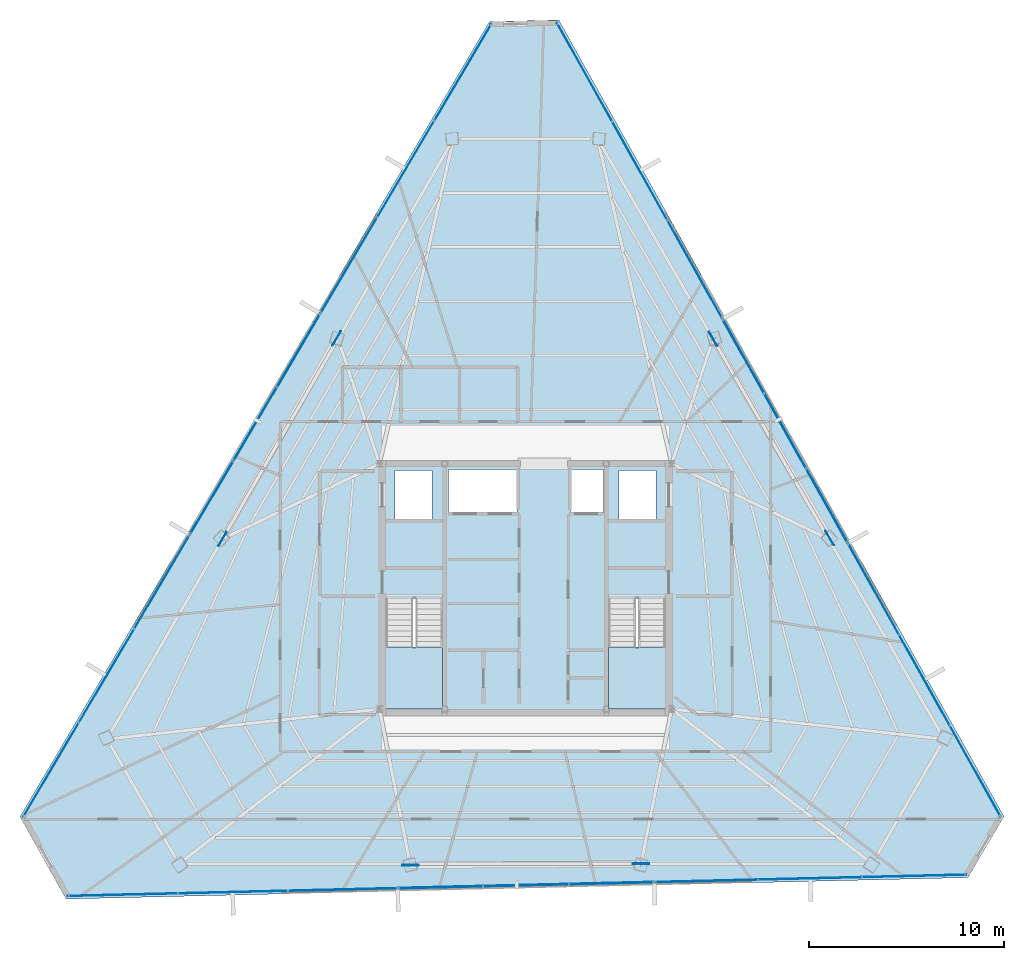
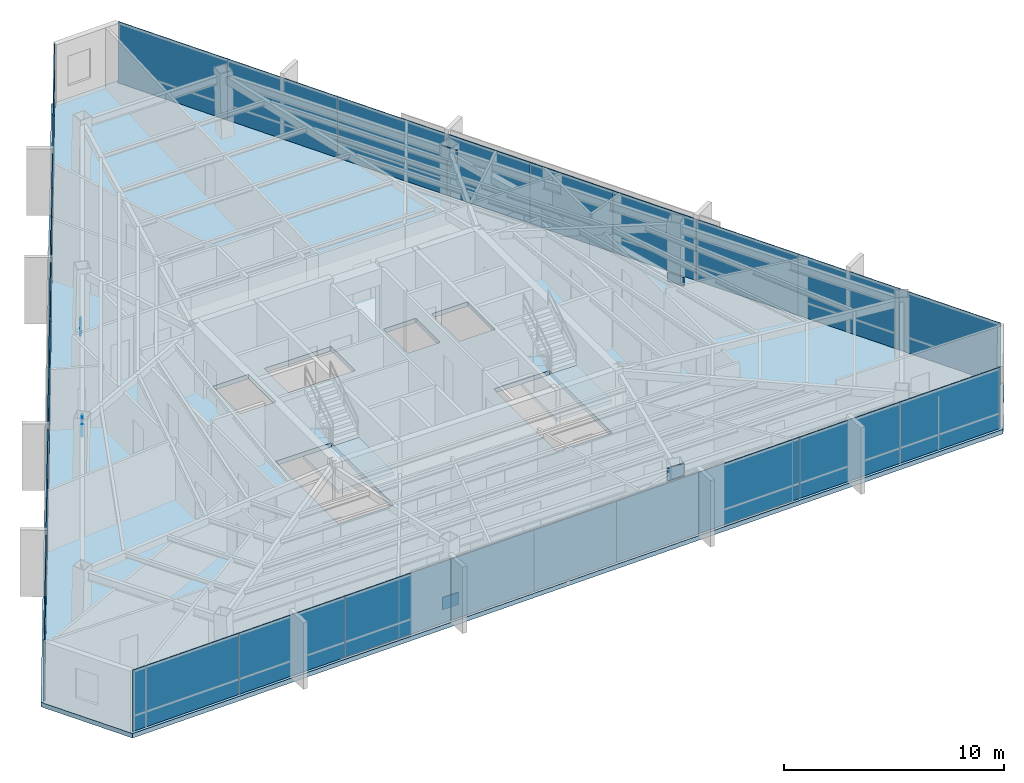
# One storey, part 37 of 44: 33 plates, 3 slabs, 11 elements without a shape of their own.
"""IFC4 building model written with IfcOpenShell, lengths in metres."""

from ifc_helpers import new_model, si_unit, direction, frame, origin, origin_2d, place, context, subcontext, project, spatial, polyline, rectangle, outline, extrude, source, transform, mapped, material, layer, layer_set, type_object, type_shapes, element, aggregate, save


model = new_model("IFC4")

# Units and contexts
model_context = context("Model", 3, precision=1e-05, world=origin(), true_north=direction((0.0, 1.0)))
body_context = subcontext(model_context, "Body", "Model", "MODEL_VIEW")
ifc_project = project(units=[si_unit("LENGTHUNIT", "METRE"), si_unit("AREAUNIT", "SQUARE_METRE"), si_unit("VOLUMEUNIT", "CUBIC_METRE"), si_unit("PLANEANGLEUNIT", "RADIAN"), si_unit("MASSUNIT", "GRAM", prefix="KILO")], contexts=[model_context])

# Site, building, storey
site_placement = place(None, origin())
site = spatial("IfcSite", under=ifc_project, at=site_placement, CompositionType="ELEMENT")
building_placement = place(site_placement, origin())
building = spatial("IfcBuilding", under=site, at=building_placement, Name="Caelisora Broadcast Tower", CompositionType="ELEMENT")
storey_placement = place(building_placement, frame((0.0, 0.0, 259.050048828125)))
storey = spatial("IfcBuildingStorey", under=building, at=storey_placement, Name="L68", CompositionType="ELEMENT", Elevation=259.050048828125)

# Slab
ifc_material_1 = material(Name="Concrete 40 MPa (AS 3600 N40)", Category="concrete")
ifc_layer_1 = layer(ifc_material_1, 0.25, Name="Concrete 40 MPa (AS 3600 N40)")
ifc_layer_set_1 = layer_set([ifc_layer_1], Name="Concrete 40 MPa (AS 3600 N40)")
slab_type_1 = type_object("IfcSlabType", Name="SL04", PredefinedType="FLOOR", material=ifc_layer_set_1)
slab_1_placement = place(storey_placement, frame((0.0, 0.0, -0.25)))
element("IfcSlab", 1, at=slab_1_placement, inside=storey, type_object=slab_type_1, Name="L68 suspended floor SL04", PredefinedType="FLOOR", context=body_context, shape_type="SweptSolid", body=[
    extrude(outline(polyline([(39.7080078125, 52.781982421875), (36.14599609375, 52.697998046875), (12.0419921875, 11.87890625), (14.406982421875, 7.64794921875), (60.7109375, 8.7470703125), (62.56494140625, 11.886962890625), (39.7080078125, 52.781982421875)]), holes=[polyline([(30.820068359375, 17.39990234375), (33.739990234375, 17.39990234375), (33.739990234375, 23.080078125), (30.820068359375, 23.080078125), (30.820068359375, 17.39990234375)]), polyline([(42.260009765625, 17.39990234375), (45.179931640625, 17.39990234375), (45.179931640625, 23.080078125), (42.260009765625, 23.080078125), (42.260009765625, 17.39990234375)]), polyline([(42.800048828125, 27.14990234375), (44.699951171875, 27.14990234375), (44.699951171875, 29.64990234375), (42.800048828125, 29.64990234375), (42.800048828125, 27.14990234375)]), polyline([(40.300048828125, 27.5), (42.0, 27.5), (42.0, 29.699951171875), (40.300048828125, 29.699951171875), (40.300048828125, 27.5)]), polyline([(34.050048828125, 27.5), (37.550048828125, 27.5), (37.550048828125, 29.699951171875), (34.050048828125, 29.699951171875), (34.050048828125, 27.5)]), polyline([(31.300048828125, 27.14990234375), (33.199951171875, 27.14990234375), (33.199951171875, 29.64990234375), (31.300048828125, 29.64990234375), (31.300048828125, 27.14990234375)])]), origin(), (0.0, 0.0, 1.0), 0.25),
])

# Stair, slab
stair_type_1 = type_object("IfcStairType", Name="ST-1", PredefinedType="HALF_TURN_STAIR", material=ifc_material_1)
stair_1_placement = place(storey_placement, origin())
stair_1 = element("IfcStair", 2, at=stair_1_placement, inside=storey, type_object=stair_type_1, Name="L68 West Fire-Isolated Tower Stair", PredefinedType="HALF_TURN_STAIR")
ifc_layer_2 = layer(ifc_material_1, 0.199951171875, Name="Concrete 40 MPa (AS 3600 N40)")
ifc_layer_set_2 = layer_set([ifc_layer_2], Name="Concrete 40 MPa (AS 3600 N40)")
slab_type_2 = type_object("IfcSlabType", Name="STL-1", PredefinedType="LANDING", material=ifc_layer_set_2)
slab_2_placement = place(storey_placement, frame((0.0, 0.0, 1.625)))
slab_2 = element("IfcSlab", 3, at=slab_2_placement, type_object=slab_type_2, Name="ST-1 landing 1", PredefinedType="LANDING", context=body_context, shape_type="SweptSolid", body=[
    extrude(outline(polyline([(30.820068359375, 20.580078125), (30.820068359375, 17.39990234375), (33.739990234375, 17.39990234375), (33.739990234375, 20.580078125), (30.820068359375, 20.580078125)])), origin(), (0.0, 0.0, 1.0), 0.199951171875),
])
aggregate(stair_1, [slab_2])

stair_type_2 = type_object("IfcStairType", Name="ST-2", PredefinedType="HALF_TURN_STAIR", material=ifc_material_1)
stair_2_placement = place(storey_placement, origin())
stair_2 = element("IfcStair", 4, at=stair_2_placement, inside=storey, type_object=stair_type_2, Name="L68 East Fire-Isolated Tower Stair", PredefinedType="HALF_TURN_STAIR")
slab_3_placement = place(storey_placement, frame((0.0, 0.0, 1.625)))
slab_3 = element("IfcSlab", 5, at=slab_3_placement, type_object=slab_type_2, Name="ST-2 landing 1", PredefinedType="LANDING", context=body_context, shape_type="SweptSolid", body=[
    extrude(outline(polyline([(42.260009765625, 20.580078125), (42.260009765625, 17.39990234375), (45.179931640625, 17.39990234375), (45.179931640625, 20.580078125), (42.260009765625, 20.580078125)])), origin(), (0.0, 0.0, 1.0), 0.199951171875),
])
aggregate(stair_2, [slab_3])

# Plates
ifc_material_2 = material(Name="Steel Grade 350 L15 (AS/NZS 3678)", Category="steel")
ifc_layer_3 = layer(ifc_material_2, 0.0400390625, Name="Steel Grade 350 L15 (AS/NZS 3678)")
ifc_layer_set_3 = layer_set([ifc_layer_3], Name="Steel Grade 350 L15 (AS/NZS 3678)")
plate_type_1 = type_object("IfcPlateType", Name="GP04", PredefinedType="USERDEFINED", material=ifc_layer_set_3)
shared_shape_1 = source(origin(), body_context, "Body", "SweptSolid", [
    extrude(rectangle(XDim=0.85009765625, YDim=0.0400390625, at=origin_2d()), origin(), (0.0, 0.0, 1.0), 0.699951171875),
])
type_shapes(plate_type_1, [shared_shape_1])
for number, where, z_axis, x_axis, name in (
    (6, (28.30078125, 36.431640625, -0.22998046875), (0.0, 0.0, 1.0), (-0.5, -0.866025403784, 0.0), "L68 gusset plate GP04 (ND-L68-C02B)"),
    (7, (22.438720703125, 26.133544921875, 2.72998046875), (0.0, 0.0, 1.0), (-0.5, -0.866025403784, 0.0), "L68 gusset plate GP04 (ND-L68-C03T)"),
    (8, (32.08349609375, 9.384521484375, -0.22998046875), (0.0, 0.0, 1.0), (1.0, 0.0, 0.0), "L68 gusset plate GP04 (ND-L68-C06B)"),
    (9, (43.932861328125, 9.456787109375, 2.72998046875), (0.0, 0.0, 1.0), (1.0, 0.0, 0.0), "L68 gusset plate GP04 (ND-L68-C07T)"),
    (10, (53.61572265625, 26.183837890625, -0.22998046875), (0.0, 0.0, 1.0), (-0.5, 0.866025403784, 0.0), "L68 gusset plate GP04 (ND-L68-C10B)"),
    (11, (47.62841796875, 36.40966796875, 2.72998046875), (0.0, 0.0, 1.0), (-0.5, 0.866025403784, 0.0), "L68 gusset plate GP04 (ND-L68-C11T)"),
):
    element("IfcPlate", number, at=place(storey_placement, frame(where, z_axis=z_axis, x_axis=x_axis)), inside=storey, type_object=plate_type_1, Name=name, ObjectType="GUSSET PLATE", PredefinedType="USERDEFINED", context=body_context, shape_type="MappedRepresentation", body=[
        mapped(shared_shape_1, transform((0.0, 0.0, 0.0), scale=1.0)),
    ])

# Curtain wall, plates
ifc_material_3 = material(Name="Unitised Aluminium and Low-E Glass Curtain Wall", Category="glass")
curtain_wall_type_1 = type_object("IfcCurtainWallType", Name="CW-Z5", PredefinedType="NOTDEFINED", material=ifc_material_3)
curtain_wall_1_placement = place(storey_placement, origin())
curtain_wall_1 = element("IfcCurtainWall", 12, at=curtain_wall_1_placement, inside=storey, type_object=curtain_wall_type_1, Name="L68 curtain wall CW-Z5", PredefinedType="NOTDEFINED")
ifc_material_4 = material(Name="Double Glazed Low-E Argon IGU", Category="glass")
ifc_layer_4 = layer(ifc_material_4, 0.028076171875, Name="Double Glazed Low-E Argon IGU")
ifc_layer_set_4 = layer_set([ifc_layer_4], Name="Double Glazed Low-E Argon IGU")
plate_type_2 = type_object("IfcPlateType", Name="CWP-06", PredefinedType="CURTAIN_PANEL", material=ifc_layer_set_4)
shared_shape_2 = source(origin(), body_context, "Body", "SweptSolid", [
    extrude(rectangle(XDim=5.80029296875, YDim=0.028076171875, at=origin_2d()), origin(), (0.0, 0.0, 1.0), 3.39990234375),
])
plate_1_placement = place(storey_placement, frame((41.035888671875, 50.098388671875, 0.0), z_axis=(0.0, 0.0, 1.0), x_axis=(0.487859659139, -0.87292207727, 0.0)))
plate_1 = element("IfcPlate", 13, at=plate_1_placement, type_object=plate_type_2, Name="L68-CW-B01 glazed panel #1", PredefinedType="CURTAIN_PANEL", context=body_context, shape_type="MappedRepresentation", body=[
    mapped(shared_shape_2, transform((0.0, 0.0, 0.0), scale=1.0)),
])
plate_2_placement = place(storey_placement, frame((43.86572265625, 45.035400390625, 0.0), z_axis=(0.0, 0.0, 1.0), x_axis=(0.487859659139, -0.87292207727, 0.0)))
plate_2 = element("IfcPlate", 14, at=plate_2_placement, type_object=plate_type_2, Name="L68-CW-B01 glazed panel #2", PredefinedType="CURTAIN_PANEL", context=body_context, shape_type="MappedRepresentation", body=[
    mapped(shared_shape_2, transform((0.0, 0.0, 0.0), scale=1.0)),
])
plate_3_placement = place(storey_placement, frame((46.69580078125, 39.97216796875, 0.0), z_axis=(0.0, 0.0, 1.0), x_axis=(0.487859659139, -0.87292207727, 0.0)))
plate_3 = element("IfcPlate", 15, at=plate_3_placement, type_object=plate_type_2, Name="L68-CW-B01 glazed panel #3", PredefinedType="CURTAIN_PANEL", context=body_context, shape_type="MappedRepresentation", body=[
    mapped(shared_shape_2, transform((0.0, 0.0, 0.0), scale=1.0)),
])
aggregate(curtain_wall_1, [plate_1, plate_2, plate_3])

ifc_material_5 = material(Name="Unitised Aluminium Insulated Shadow-Box Spandrel Curtain Wall", Category="aluminium")
curtain_wall_type_2 = type_object("IfcCurtainWallType", Name="CW-SP3", PredefinedType="NOTDEFINED", material=ifc_material_5)
curtain_wall_2_placement = place(storey_placement, origin())
curtain_wall_2 = element("IfcCurtainWall", 16, at=curtain_wall_2_placement, inside=storey, type_object=curtain_wall_type_2, Name="L68 curtain wall CW-SP3", PredefinedType="NOTDEFINED")
ifc_material_6 = material(Name="Insulated Terracotta Shadow-Box Spandrel Panel", Category="aluminium")
ifc_layer_5 = layer(ifc_material_6, 0.0439453125, Name="Insulated Terracotta Shadow-Box Spandrel Panel")
ifc_layer_set_5 = layer_set([ifc_layer_5], Name="Insulated Terracotta Shadow-Box Spandrel Panel")
plate_type_3 = type_object("IfcPlateType", Name="CWP-10", PredefinedType="CURTAIN_PANEL", material=ifc_layer_set_5)
shared_shape_3 = source(origin(), body_context, "Body", "SweptSolid", [
    extrude(rectangle(XDim=4.390625, YDim=0.0439453125, at=origin_2d()), origin(), (0.0, 0.0, 1.0), 3.39990234375),
])
plate_4_placement = place(storey_placement, frame((49.1865234375, 35.515625, 0.0), z_axis=(0.0, 0.0, 1.0), x_axis=(0.487859659139, -0.87292207727, 0.0)))
plate_4 = element("IfcPlate", 17, at=plate_4_placement, type_object=plate_type_3, Name="L68-CW-B02 spandrel panel #1", PredefinedType="CURTAIN_PANEL", context=body_context, shape_type="MappedRepresentation", body=[
    mapped(shared_shape_3, transform((0.0, 0.0, 0.0), scale=1.0)),
])
plate_5_placement = place(storey_placement, frame((51.32861328125, 31.68310546875, 0.0), z_axis=(0.0, 0.0, 1.0), x_axis=(0.487859659139, -0.87292207727, 0.0)))
plate_5 = element("IfcPlate", 18, at=plate_5_placement, type_object=plate_type_3, Name="L68-CW-B02 spandrel panel #2", PredefinedType="CURTAIN_PANEL", context=body_context, shape_type="MappedRepresentation", body=[
    mapped(shared_shape_3, transform((0.0, 0.0, 0.0), scale=1.0)),
])
plate_6_placement = place(storey_placement, frame((53.470947265625, 27.850341796875, 0.0), z_axis=(0.0, 0.0, 1.0), x_axis=(0.487859659139, -0.87292207727, 0.0)))
plate_6 = element("IfcPlate", 19, at=plate_6_placement, type_object=plate_type_3, Name="L68-CW-B02 spandrel panel #3", PredefinedType="CURTAIN_PANEL", context=body_context, shape_type="MappedRepresentation", body=[
    mapped(shared_shape_3, transform((0.0, 0.0, 0.0), scale=1.0)),
])
aggregate(curtain_wall_2, [plate_4, plate_5, plate_6])

curtain_wall_3_placement = place(storey_placement, origin())
curtain_wall_3 = element("IfcCurtainWall", 20, at=curtain_wall_3_placement, inside=storey, type_object=curtain_wall_type_1, Name="L68 curtain wall CW-Z5", PredefinedType="NOTDEFINED")
shared_shape_4 = source(origin(), body_context, "Body", "SweptSolid", [
    extrude(rectangle(XDim=5.360107421875, YDim=0.028076171875, at=origin_2d()), origin(), (0.0, 0.0, 1.0), 3.39990234375),
])
plate_7_placement = place(storey_placement, frame((55.854248046875, 23.5859375, 0.0), z_axis=(0.0, 0.0, 1.0), x_axis=(0.487859659139, -0.87292207727, 0.0)))
plate_7 = element("IfcPlate", 21, at=plate_7_placement, type_object=plate_type_2, Name="L68-CW-B03 glazed panel #1", PredefinedType="CURTAIN_PANEL", context=body_context, shape_type="MappedRepresentation", body=[
    mapped(shared_shape_4, transform((0.0, 0.0, 0.0), scale=1.0)),
])
plate_8_placement = place(storey_placement, frame((58.469482421875, 18.9072265625, 0.0), z_axis=(0.0, 0.0, 1.0), x_axis=(0.487859659139, -0.87292207727, 0.0)))
plate_8 = element("IfcPlate", 22, at=plate_8_placement, type_object=plate_type_2, Name="L68-CW-B03 glazed panel #2", PredefinedType="CURTAIN_PANEL", context=body_context, shape_type="MappedRepresentation", body=[
    mapped(shared_shape_4, transform((0.0, 0.0, 0.0), scale=1.0)),
])
plate_9_placement = place(storey_placement, frame((61.08447265625, 14.228515625, 0.0), z_axis=(0.0, 0.0, 1.0), x_axis=(0.487859659139, -0.87292207727, 0.0)))
plate_9 = element("IfcPlate", 23, at=plate_9_placement, type_object=plate_type_2, Name="L68-CW-B03 glazed panel #3", PredefinedType="CURTAIN_PANEL", context=body_context, shape_type="MappedRepresentation", body=[
    mapped(shared_shape_4, transform((0.0, 0.0, 0.0), scale=1.0)),
])
aggregate(curtain_wall_3, [plate_7, plate_8, plate_9])

curtain_wall_4_placement = place(storey_placement, origin())
curtain_wall_4 = element("IfcCurtainWall", 24, at=curtain_wall_4_placement, inside=storey, type_object=curtain_wall_type_1, Name="L68 curtain wall CW-Z5", PredefinedType="NOTDEFINED")
shared_shape_5 = source(origin(), body_context, "Body", "SweptSolid", [
    extrude(rectangle(XDim=5.337158203125, YDim=0.028076171875, at=origin_2d()), origin(), (0.0, 0.0, 1.0), 3.39990234375),
])
plate_10_placement = place(storey_placement, frame((57.956298828125, 8.831787109375, 0.0), z_axis=(0.0, 0.0, 1.0), x_axis=(-0.999718303037, -0.023734248954, 0.0)))
plate_10 = element("IfcPlate", 25, at=plate_10_placement, type_object=plate_type_2, Name="L68-CW-B05 glazed panel #1", PredefinedType="CURTAIN_PANEL", context=body_context, shape_type="MappedRepresentation", body=[
    mapped(shared_shape_5, transform((0.0, 0.0, 0.0), scale=1.0)),
])
plate_11_placement = place(storey_placement, frame((52.62060546875, 8.705078125, 0.0), z_axis=(0.0, 0.0, 1.0), x_axis=(-0.999718303037, -0.023734248954, 0.0)))
plate_11 = element("IfcPlate", 26, at=plate_11_placement, type_object=plate_type_2, Name="L68-CW-B05 glazed panel #2", PredefinedType="CURTAIN_PANEL", context=body_context, shape_type="MappedRepresentation", body=[
    mapped(shared_shape_5, transform((0.0, 0.0, 0.0), scale=1.0)),
])
plate_12_placement = place(storey_placement, frame((47.28515625, 8.578369140625, 0.0), z_axis=(0.0, 0.0, 1.0), x_axis=(-0.999718303037, -0.023734248954, 0.0)))
plate_12 = element("IfcPlate", 27, at=plate_12_placement, type_object=plate_type_2, Name="L68-CW-B05 glazed panel #3", PredefinedType="CURTAIN_PANEL", context=body_context, shape_type="MappedRepresentation", body=[
    mapped(shared_shape_5, transform((0.0, 0.0, 0.0), scale=1.0)),
])
aggregate(curtain_wall_4, [plate_10, plate_11, plate_12])

curtain_wall_5_placement = place(storey_placement, origin())
curtain_wall_5 = element("IfcCurtainWall", 28, at=curtain_wall_5_placement, inside=storey, type_object=curtain_wall_type_2, Name="L68 curtain wall CW-SP3", PredefinedType="NOTDEFINED")
shared_shape_6 = source(origin(), body_context, "Body", "SweptSolid", [
    extrude(rectangle(XDim=4.389892578125, YDim=0.0439453125, at=origin_2d()), origin(), (0.0, 0.0, 1.0), 3.39990234375),
])
plate_13_placement = place(storey_placement, frame((42.4130859375, 8.462646484375, 0.0), z_axis=(0.0, 0.0, 1.0), x_axis=(-0.999718303037, -0.023734248954, 0.0)))
plate_13 = element("IfcPlate", 29, at=plate_13_placement, type_object=plate_type_3, Name="L68-CW-B06 spandrel panel #1", PredefinedType="CURTAIN_PANEL", context=body_context, shape_type="MappedRepresentation", body=[
    mapped(shared_shape_6, transform((0.0, 0.0, 0.0), scale=1.0)),
])
plate_14_placement = place(storey_placement, frame((38.0244140625, 8.3583984375, 0.0), z_axis=(0.0, 0.0, 1.0), x_axis=(-0.999718303037, -0.023734248954, 0.0)))
plate_14 = element("IfcPlate", 30, at=plate_14_placement, type_object=plate_type_3, Name="L68-CW-B06 spandrel panel #2", PredefinedType="CURTAIN_PANEL", context=body_context, shape_type="MappedRepresentation", body=[
    mapped(shared_shape_6, transform((0.0, 0.0, 0.0), scale=1.0)),
])
plate_15_placement = place(storey_placement, frame((33.6357421875, 8.25439453125, 0.0), z_axis=(0.0, 0.0, 1.0), x_axis=(-0.999718303037, -0.023734248954, 0.0)))
plate_15 = element("IfcPlate", 31, at=plate_15_placement, type_object=plate_type_3, Name="L68-CW-B06 spandrel panel #3", PredefinedType="CURTAIN_PANEL", context=body_context, shape_type="MappedRepresentation", body=[
    mapped(shared_shape_6, transform((0.0, 0.0, 0.0), scale=1.0)),
])
aggregate(curtain_wall_5, [plate_13, plate_14, plate_15])

curtain_wall_6_placement = place(storey_placement, origin())
curtain_wall_6 = element("IfcCurtainWall", 32, at=curtain_wall_6_placement, inside=storey, type_object=curtain_wall_type_1, Name="L68 curtain wall CW-Z5", PredefinedType="NOTDEFINED")
shared_shape_7 = source(origin(), body_context, "Body", "SweptSolid", [
    extrude(rectangle(XDim=5.6474609375, YDim=0.028076171875, at=origin_2d()), origin(), (0.0, 0.0, 1.0), 3.39990234375),
])
plate_16_placement = place(storey_placement, frame((28.6083984375, 8.135009765625, 0.0), z_axis=(0.0, 0.0, 1.0), x_axis=(-0.999718303037, -0.023734248954, 0.0)))
plate_16 = element("IfcPlate", 33, at=plate_16_placement, type_object=plate_type_2, Name="L68-CW-B07 glazed panel #1", PredefinedType="CURTAIN_PANEL", context=body_context, shape_type="MappedRepresentation", body=[
    mapped(shared_shape_7, transform((0.0, 0.0, 0.0), scale=1.0)),
])
plate_17_placement = place(storey_placement, frame((22.962646484375, 8.0009765625, 0.0), z_axis=(0.0, 0.0, 1.0), x_axis=(-0.999718303037, -0.023734248954, 0.0)))
plate_17 = element("IfcPlate", 34, at=plate_17_placement, type_object=plate_type_2, Name="L68-CW-B07 glazed panel #2", PredefinedType="CURTAIN_PANEL", context=body_context, shape_type="MappedRepresentation", body=[
    mapped(shared_shape_7, transform((0.0, 0.0, 0.0), scale=1.0)),
])
plate_18_placement = place(storey_placement, frame((17.31689453125, 7.866943359375, 0.0), z_axis=(0.0, 0.0, 1.0), x_axis=(-0.999718303037, -0.023734248954, 0.0)))
plate_18 = element("IfcPlate", 35, at=plate_18_placement, type_object=plate_type_2, Name="L68-CW-B07 glazed panel #3", PredefinedType="CURTAIN_PANEL", context=body_context, shape_type="MappedRepresentation", body=[
    mapped(shared_shape_7, transform((0.0, 0.0, 0.0), scale=1.0)),
])
aggregate(curtain_wall_6, [plate_16, plate_17, plate_18])

curtain_wall_7_placement = place(storey_placement, origin())
curtain_wall_7 = element("IfcCurtainWall", 36, at=curtain_wall_7_placement, inside=storey, type_object=curtain_wall_type_1, Name="L68 curtain wall CW-Z5", PredefinedType="NOTDEFINED")
shared_shape_8 = source(origin(), body_context, "Body", "SweptSolid", [
    extrude(rectangle(XDim=5.603515625, YDim=0.028076171875, at=origin_2d()), origin(), (0.0, 0.0, 1.0), 3.39990234375),
])
plate_19_placement = place(storey_placement, frame((13.6396484375, 14.28955078125, 0.0), z_axis=(0.0, 0.0, 1.0), x_axis=(0.508440380454, 0.861097195167, 0.0)))
plate_19 = element("IfcPlate", 37, at=plate_19_placement, type_object=plate_type_2, Name="L68-CW-B09 glazed panel #1", PredefinedType="CURTAIN_PANEL", context=body_context, shape_type="MappedRepresentation", body=[
    mapped(shared_shape_8, transform((0.0, 0.0, 0.0), scale=1.0)),
])
plate_20_placement = place(storey_placement, frame((16.48876953125, 19.114501953125, 0.0), z_axis=(0.0, 0.0, 1.0), x_axis=(0.508440380454, 0.861097195167, 0.0)))
plate_20 = element("IfcPlate", 38, at=plate_20_placement, type_object=plate_type_2, Name="L68-CW-B09 glazed panel #2", PredefinedType="CURTAIN_PANEL", context=body_context, shape_type="MappedRepresentation", body=[
    mapped(shared_shape_8, transform((0.0, 0.0, 0.0), scale=1.0)),
])
plate_21_placement = place(storey_placement, frame((19.337890625, 23.939453125, 0.0), z_axis=(0.0, 0.0, 1.0), x_axis=(0.508440380454, 0.861097195167, 0.0)))
plate_21 = element("IfcPlate", 39, at=plate_21_placement, type_object=plate_type_2, Name="L68-CW-B09 glazed panel #3", PredefinedType="CURTAIN_PANEL", context=body_context, shape_type="MappedRepresentation", body=[
    mapped(shared_shape_8, transform((0.0, 0.0, 0.0), scale=1.0)),
])
aggregate(curtain_wall_7, [plate_19, plate_20, plate_21])

curtain_wall_8_placement = place(storey_placement, origin())
curtain_wall_8 = element("IfcCurtainWall", 40, at=curtain_wall_8_placement, inside=storey, type_object=curtain_wall_type_2, Name="L68 curtain wall CW-SP3", PredefinedType="NOTDEFINED")
shared_shape_9 = source(origin(), body_context, "Body", "SweptSolid", [
    extrude(rectangle(XDim=4.390869140625, YDim=0.0439453125, at=origin_2d()), origin(), (0.0, 0.0, 1.0), 3.39990234375),
])
type_shapes(plate_type_3, [shared_shape_3, shared_shape_6, shared_shape_9])
plate_22_placement = place(storey_placement, frame((21.884033203125, 28.2509765625, 0.0), z_axis=(0.0, 0.0, 1.0), x_axis=(0.508440380454, 0.861097195167, 0.0)))
plate_22 = element("IfcPlate", 41, at=plate_22_placement, type_object=plate_type_3, Name="L68-CW-B10 spandrel panel #1", PredefinedType="CURTAIN_PANEL", context=body_context, shape_type="MappedRepresentation", body=[
    mapped(shared_shape_9, transform((0.0, 0.0, 0.0), scale=1.0)),
])
plate_23_placement = place(storey_placement, frame((24.11669921875, 32.03173828125, 0.0), z_axis=(0.0, 0.0, 1.0), x_axis=(0.508440380454, 0.861097195167, 0.0)))
plate_23 = element("IfcPlate", 42, at=plate_23_placement, type_object=plate_type_3, Name="L68-CW-B10 spandrel panel #2", PredefinedType="CURTAIN_PANEL", context=body_context, shape_type="MappedRepresentation", body=[
    mapped(shared_shape_9, transform((0.0, 0.0, 0.0), scale=1.0)),
])
plate_24_placement = place(storey_placement, frame((26.349365234375, 35.8125, 0.0), z_axis=(0.0, 0.0, 1.0), x_axis=(0.508440380454, 0.861097195167, 0.0)))
plate_24 = element("IfcPlate", 43, at=plate_24_placement, type_object=plate_type_3, Name="L68-CW-B10 spandrel panel #3", PredefinedType="CURTAIN_PANEL", context=body_context, shape_type="MappedRepresentation", body=[
    mapped(shared_shape_9, transform((0.0, 0.0, 0.0), scale=1.0)),
])
aggregate(curtain_wall_8, [plate_22, plate_23, plate_24])

curtain_wall_9_placement = place(storey_placement, origin())
curtain_wall_9 = element("IfcCurtainWall", 44, at=curtain_wall_9_placement, inside=storey, type_object=curtain_wall_type_1, Name="L68 curtain wall CW-Z5", PredefinedType="NOTDEFINED")
shared_shape_10 = source(origin(), body_context, "Body", "SweptSolid", [
    extrude(rectangle(XDim=5.744140625, YDim=0.028076171875, at=origin_2d()), origin(), (0.0, 0.0, 1.0), 3.39990234375),
])
type_shapes(plate_type_2, [shared_shape_2, shared_shape_4, shared_shape_5, shared_shape_7, shared_shape_8, shared_shape_10])
plate_25_placement = place(storey_placement, frame((28.93115234375, 40.1845703125, 0.0), z_axis=(0.0, 0.0, 1.0), x_axis=(0.508440380454, 0.861097195167, 0.0)))
plate_25 = element("IfcPlate", 45, at=plate_25_placement, type_object=plate_type_2, Name="L68-CW-B11 glazed panel #1", PredefinedType="CURTAIN_PANEL", context=body_context, shape_type="MappedRepresentation", body=[
    mapped(shared_shape_10, transform((0.0, 0.0, 0.0), scale=1.0)),
])
plate_26_placement = place(storey_placement, frame((31.851806640625, 45.130859375, 0.0), z_axis=(0.0, 0.0, 1.0), x_axis=(0.508440380454, 0.861097195167, 0.0)))
plate_26 = element("IfcPlate", 46, at=plate_26_placement, type_object=plate_type_2, Name="L68-CW-B11 glazed panel #2", PredefinedType="CURTAIN_PANEL", context=body_context, shape_type="MappedRepresentation", body=[
    mapped(shared_shape_10, transform((0.0, 0.0, 0.0), scale=1.0)),
])
plate_27_placement = place(storey_placement, frame((34.772705078125, 50.076904296875, 0.0), z_axis=(0.0, 0.0, 1.0), x_axis=(0.508440380454, 0.861097195167, 0.0)))
plate_27 = element("IfcPlate", 47, at=plate_27_placement, type_object=plate_type_2, Name="L68-CW-B11 glazed panel #3", PredefinedType="CURTAIN_PANEL", context=body_context, shape_type="MappedRepresentation", body=[
    mapped(shared_shape_10, transform((0.0, 0.0, 0.0), scale=1.0)),
])
aggregate(curtain_wall_9, [plate_25, plate_26, plate_27])

save(model, "model.ifc")
